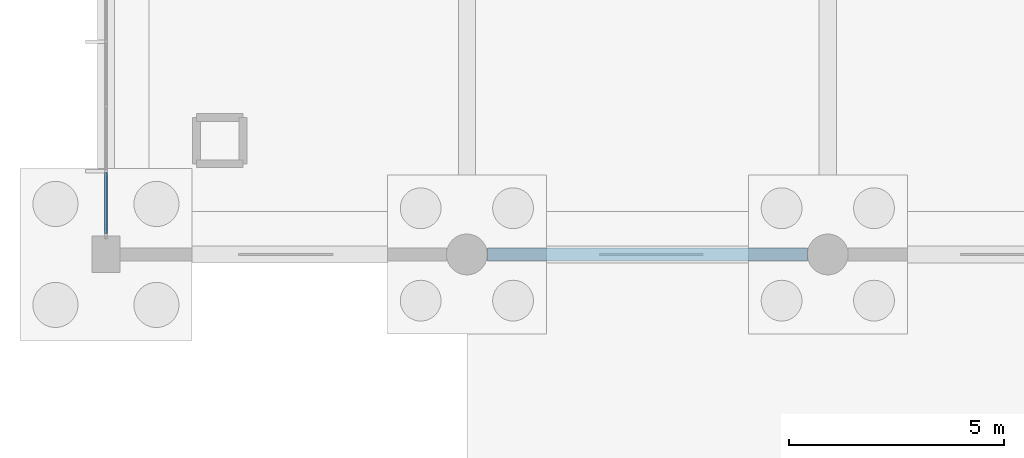
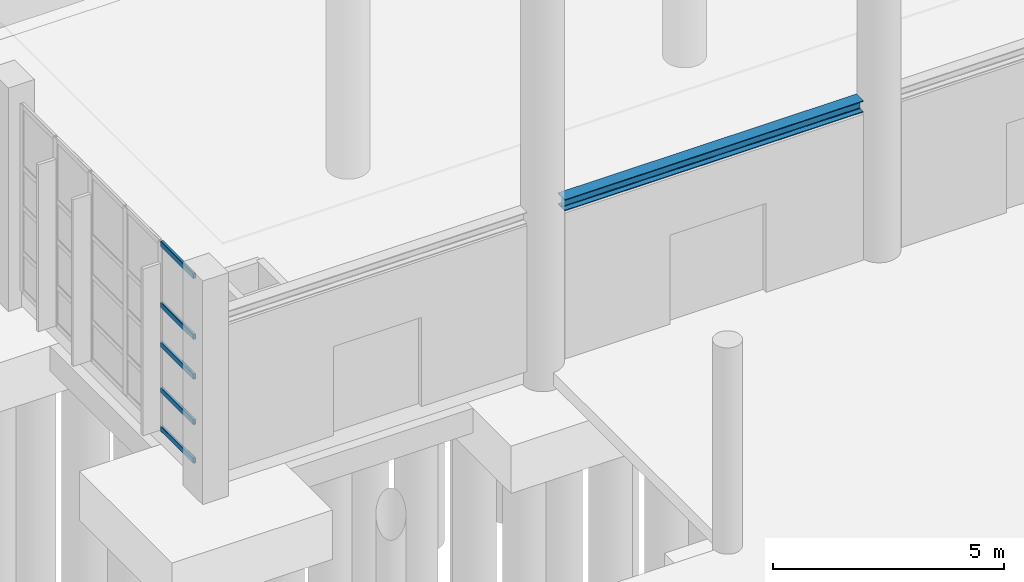
# One storey, part 15 of 83: 5 members, 1 beam, 1 element without a shape of its own.
"""IFC4 building model written with IfcOpenShell, lengths in metres."""

from ifc_helpers import new_model, si_unit, direction, frame, origin, origin_2d, place, context, subcontext, project, spatial, hollow_rectangle, i_section, extrude, material, layer, layer_set, material_profile, profile_set, type_object, element, aggregate, save


model = new_model("IFC4")

# Units and contexts
model_context = context("Model", 3, precision=1e-05, world=origin(), true_north=direction((0.0, 1.0)))
body_context = subcontext(model_context, "Body", "Model", "MODEL_VIEW")
ifc_project = project(units=[si_unit("LENGTHUNIT", "METRE"), si_unit("AREAUNIT", "SQUARE_METRE"), si_unit("VOLUMEUNIT", "CUBIC_METRE"), si_unit("PLANEANGLEUNIT", "RADIAN"), si_unit("MASSUNIT", "GRAM", prefix="KILO"), si_unit("THERMODYNAMICTEMPERATUREUNIT", "KELVIN"), si_unit("POWERUNIT", "WATT")], contexts=[model_context])

# Site, building, storey
site_placement = place(None, origin())
site = spatial("IfcSite", under=ifc_project, at=site_placement, CompositionType="ELEMENT")
building_placement = place(site_placement, origin())
building = spatial("IfcBuilding", under=site, at=building_placement, Name="Mavoryth Pier Ferry Terminal", CompositionType="ELEMENT")
storey_placement = place(building_placement, origin())
storey = spatial("IfcBuildingStorey", under=building, at=storey_placement, Name="L00", CompositionType="ELEMENT", Elevation=0.0)

# Beam
ifc_material_1 = material(Name="Steel S355J2", Category="steel")
ifc_material_profile_1 = material_profile(ifc_material_1, i_section(OverallWidth=0.300048828125, OverallDepth=0.300048828125, WebThickness=0.010986328125, FlangeThickness=0.01904296875, FilletRadius=0.027099609375, at=origin_2d()), Name="HEB 300", Category="steel")
ifc_profile_set_1 = profile_set([ifc_material_profile_1], Name="Steel S355J2 - HEB 300")
beam_type = type_object("IfcBeamType", Name="Lintel-Steel-HEB300", PredefinedType="LINTEL", material=ifc_profile_set_1)
beam_placement = place(storey_placement, frame((8.875, 22.0, 4.050048828125), z_axis=(1.0, 0.0, 0.0), x_axis=(0.0, 1.0, 0.0)))
element("IfcBeam", 1, at=beam_placement, inside=storey, type_object=beam_type, Name="Beam B00-LN01-1605", PredefinedType="LINTEL", context=body_context, shape_type="SweptSolid", body=[
    extrude(i_section(OverallWidth=0.300048828125, OverallDepth=0.300048828125, WebThickness=0.010986328125, FlangeThickness=0.01904296875, FilletRadius=0.027099609375, at=origin_2d()), origin(), (0.0, 0.0, 1.0), 7.449951171875),
])

# Curtain wall, members
ifc_material_2 = material(Name="Anodised Aluminium and Solar-Control Low-E Glass", Category="aluminium")
ifc_layer = layer(ifc_material_2, 0.179931640625, Name="Anodised Aluminium and Solar-Control Low-E Glass", Category="aluminium")
ifc_layer_set = layer_set([ifc_layer], Name="Anodised Aluminium and Solar-Control Low-E Glass - CW-Concourse-Mod1400")
curtain_wall_type = type_object("IfcCurtainWallType", Name="CW-Concourse-Mod1400", PredefinedType="USERDEFINED", material=ifc_layer_set)
curtain_wall_placement = place(storey_placement, origin())
curtain_wall = element("IfcCurtainWall", 2, at=curtain_wall_placement, inside=storey, type_object=curtain_wall_type, Name="Curtain Wall CW-0033-001", ObjectType="UNITISED CURTAIN WALL", PredefinedType="USERDEFINED")
ifc_material_3 = material(Name="Anodised Aluminium EN AW-6063", Category="aluminium")
ifc_material_profile_2 = material_profile(ifc_material_3, hollow_rectangle(XDim=0.06494140625, YDim=0.139892578125, WallThickness=0.00390625, InnerFilletRadius=0.00390625, OuterFilletRadius=0.008056640625, at=origin_2d()), Name="AL-TRAN 140x65x4", Category="aluminium")
ifc_profile_set_2 = profile_set([ifc_material_profile_2], Name="Anodised Aluminium EN AW-6063 - AL-TRAN 140x65x4")
member_type = type_object("IfcMemberType", Name="Transom-Alum-140x65", PredefinedType="USERDEFINED", material=ifc_profile_set_2)
member_1_placement = place(storey_placement, frame((0.0, 23.902587890625, 0.032470703125), z_axis=(0.0, -1.0, 0.0), x_axis=(1.0, 0.0, 0.0)))
member_1 = element("IfcMember", 3, at=member_1_placement, type_object=member_type, Name="CW01 transom 5.1", ObjectType="TRANSOM", PredefinedType="USERDEFINED", context=body_context, shape_type="SweptSolid", body=[
    extrude(hollow_rectangle(XDim=0.06494140625, YDim=0.139892578125, WallThickness=0.00390625, InnerFilletRadius=0.00390625, OuterFilletRadius=0.008056640625, at=origin_2d()), origin(), (0.0, 0.0, 1.0), 1.41259765625),
])
member_2_placement = place(storey_placement, frame((0.0, 23.902587890625, 1.050048828125), z_axis=(0.0, -1.0, 0.0), x_axis=(1.0, 0.0, 0.0)))
member_2 = element("IfcMember", 4, at=member_2_placement, type_object=member_type, Name="CW01 transom 5.2", ObjectType="TRANSOM", PredefinedType="USERDEFINED", context=body_context, shape_type="SweptSolid", body=[
    extrude(hollow_rectangle(XDim=0.06494140625, YDim=0.139892578125, WallThickness=0.00390625, InnerFilletRadius=0.00390625, OuterFilletRadius=0.008056640625, at=origin_2d()), origin(), (0.0, 0.0, 1.0), 1.41259765625),
])
member_3_placement = place(storey_placement, frame((0.0, 23.902587890625, 2.25), z_axis=(0.0, -1.0, 0.0), x_axis=(1.0, 0.0, 0.0)))
member_3 = element("IfcMember", 5, at=member_3_placement, type_object=member_type, Name="CW01 transom 5.3", ObjectType="TRANSOM", PredefinedType="USERDEFINED", context=body_context, shape_type="SweptSolid", body=[
    extrude(hollow_rectangle(XDim=0.06494140625, YDim=0.139892578125, WallThickness=0.00390625, InnerFilletRadius=0.00390625, OuterFilletRadius=0.008056640625, at=origin_2d()), origin(), (0.0, 0.0, 1.0), 1.41259765625),
])
member_4_placement = place(storey_placement, frame((0.0, 23.902587890625, 3.300048828125), z_axis=(0.0, -1.0, 0.0), x_axis=(1.0, 0.0, 0.0)))
member_4 = element("IfcMember", 6, at=member_4_placement, type_object=member_type, Name="CW01 transom 5.4", ObjectType="TRANSOM", PredefinedType="USERDEFINED", context=body_context, shape_type="SweptSolid", body=[
    extrude(hollow_rectangle(XDim=0.06494140625, YDim=0.139892578125, WallThickness=0.00390625, InnerFilletRadius=0.00390625, OuterFilletRadius=0.008056640625, at=origin_2d()), origin(), (0.0, 0.0, 1.0), 1.41259765625),
])
member_5_placement = place(storey_placement, frame((0.0, 23.902587890625, 4.907470703125), z_axis=(0.0, -1.0, 0.0), x_axis=(1.0, 0.0, 0.0)))
member_5 = element("IfcMember", 7, at=member_5_placement, type_object=member_type, Name="CW01 transom 5.5", ObjectType="TRANSOM", PredefinedType="USERDEFINED", context=body_context, shape_type="SweptSolid", body=[
    extrude(hollow_rectangle(XDim=0.06494140625, YDim=0.139892578125, WallThickness=0.00390625, InnerFilletRadius=0.00390625, OuterFilletRadius=0.008056640625, at=origin_2d()), origin(), (0.0, 0.0, 1.0), 1.41259765625),
])
aggregate(curtain_wall, [member_1, member_2, member_3, member_4, member_5])

save(model, "model.ifc")
